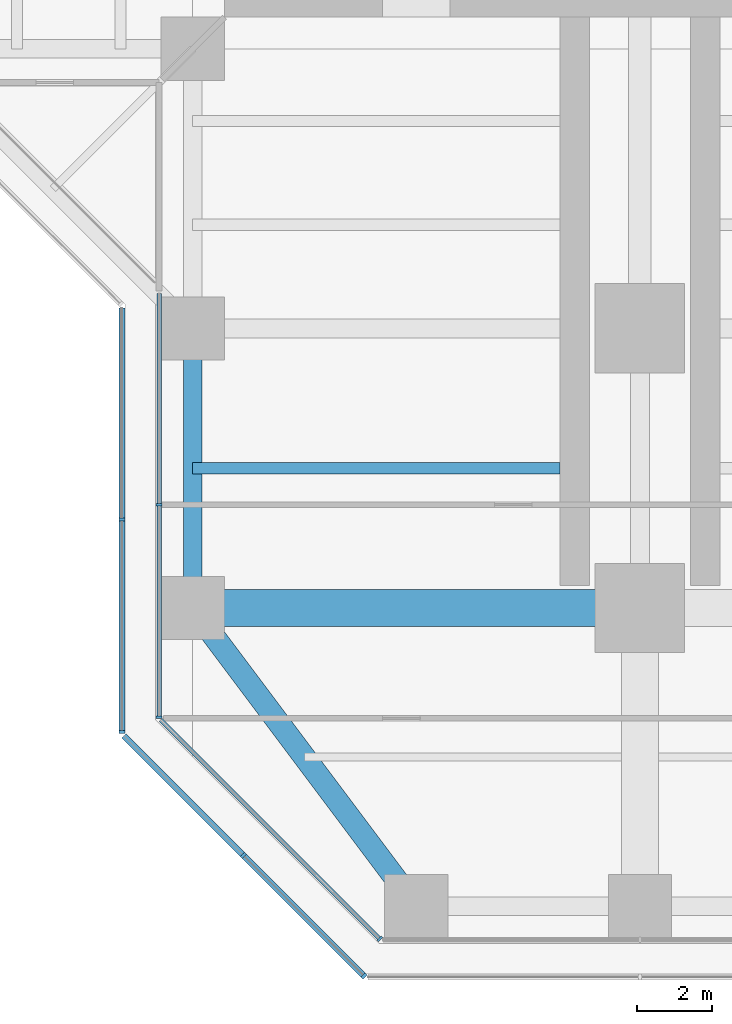
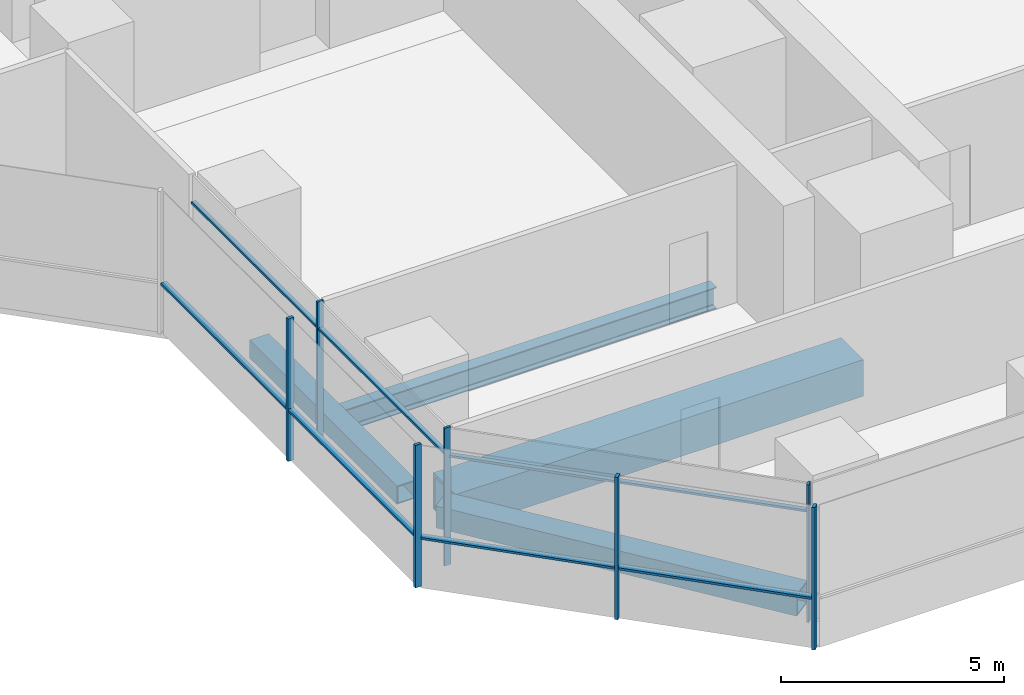
# One storey, part 2 of 22: 14 members, 4 beams, 4 elements without a shape of their own.
"""IFC4 building model written with IfcOpenShell, lengths in metres."""

from ifc_helpers import new_model, si_unit, direction, frame, origin, origin_2d, place, context, subcontext, project, spatial, rectangle, hollow_rectangle, i_section, extrude, material, material_profile, profile_set, type_object, element, aggregate, save


model = new_model("IFC4")

# Units and contexts
model_context = context("Model", 3, precision=1e-05, world=origin(), true_north=direction((0.0, 1.0)))
body_context = subcontext(model_context, "Body", "Model", "MODEL_VIEW")
ifc_project = project(units=[si_unit("LENGTHUNIT", "METRE"), si_unit("AREAUNIT", "SQUARE_METRE"), si_unit("VOLUMEUNIT", "CUBIC_METRE"), si_unit("PLANEANGLEUNIT", "RADIAN"), si_unit("MASSUNIT", "GRAM", prefix="KILO")], contexts=[model_context])

# Site, building, storey
site_placement = place(None, origin())
site = spatial("IfcSite", under=ifc_project, at=site_placement, CompositionType="ELEMENT")
building_placement = place(site_placement, origin())
building = spatial("IfcBuilding", under=site, at=building_placement, Name="Mizan Broadcast Tower", CompositionType="ELEMENT")
storey_placement = place(building_placement, frame((0.0, 0.0, 55.199951171875)))
storey = spatial("IfcBuildingStorey", under=building, at=storey_placement, Name="L10", CompositionType="ELEMENT", Elevation=55.199951171875)

# Beams
ifc_material_1 = material(Name="Steel S355", Category="steel")
ifc_material_profile_1 = material_profile(ifc_material_1, hollow_rectangle(XDim=0.5, YDim=0.5, WallThickness=0.030029296875, at=origin_2d()), Name="BOX 500x500x30")
ifc_profile_set_1 = profile_set([ifc_material_profile_1], Name="Steel S355")
beam_type_1 = type_object("IfcBeamType", Name="EDGE BEAM BOX 500x500x30", PredefinedType="SPANDREL", material=ifc_profile_set_1)
beam_1_placement = place(storey_placement, frame((-12.0, -19.949951171875, -0.3798828125), z_axis=(0.0, -1.0, 0.0), x_axis=(1.0, 0.0, 0.0)))
element("IfcBeam", 1, at=beam_1_placement, inside=storey, type_object=beam_type_1, Name="Edge beam BOX 500x500x30 L10 south arm", PredefinedType="SPANDREL", context=body_context, shape_type="SweptSolid", body=[
    extrude(hollow_rectangle(XDim=0.5, YDim=0.5, WallThickness=0.030029296875, at=origin_2d()), origin(), (0.0, 0.0, 1.0), 6.60009765625),
])
ifc_material_2 = material(Name="Steel S355", Category="steel")
ifc_material_profile_2 = material_profile(ifc_material_2, hollow_rectangle(XDim=0.60009765625, YDim=0.60009765625, WallThickness=0.030029296875, at=origin_2d()), Name="BOX 600x600x30")
ifc_profile_set_2 = profile_set([ifc_material_profile_2], Name="Steel S355")
beam_type_2 = type_object("IfcBeamType", Name="EDGE BEAM BOX 600x600x30", PredefinedType="SPANDREL", material=ifc_profile_set_2)
beam_2_placement = place(storey_placement, frame((-11.639892578125, -27.47998046875, -0.429931640625), z_axis=(0.599982243973, -0.800013316712, 0.0), x_axis=(0.800013316712, 0.599982243973, 0.0)))
element("IfcBeam", 2, at=beam_2_placement, inside=storey, type_object=beam_type_2, Name="Edge beam BOX 600x600x30 L10 south arm", PredefinedType="SPANDREL", context=body_context, shape_type="SweptSolid", body=[
    extrude(hollow_rectangle(XDim=0.60009765625, YDim=0.60009765625, WallThickness=0.030029296875, at=origin_2d()), origin(), (0.0, 0.0, 1.0), 8.7998046875),
])
ifc_material_3 = material(Name="Steel S460", Category="steel")
ifc_material_profile_3 = material_profile(ifc_material_3, hollow_rectangle(XDim=1.0, YDim=1.0, WallThickness=0.080078125, at=origin_2d()), Name="BOX 1000x1000x80")
ifc_profile_set_3 = profile_set([ifc_material_profile_3], Name="Steel S460")
beam_type_3 = type_object("IfcBeamType", Name="GIRDER BOX 1000x1000x80", PredefinedType="BEAM", material=ifc_profile_set_3)
beam_3_placement = place(storey_placement, frame((-11.280029296875, -27.0, -0.6298828125), z_axis=(1.0, 0.0, 0.0), x_axis=(0.0, 1.0, 0.0)))
element("IfcBeam", 3, at=beam_3_placement, inside=storey, type_object=beam_type_3, Name="Girder BOX 1000x1000x80 L10 south arm", PredefinedType="BEAM", context=body_context, shape_type="SweptSolid", body=[
    extrude(hollow_rectangle(XDim=1.0, YDim=1.0, WallThickness=0.080078125, at=origin_2d()), origin(), (0.0, 0.0, 1.0), 10.56005859375),
])

# Curtain wall, members
ifc_material_4 = material(Name="Aluminium framed glazing", Category="aluminium")
curtain_wall_type_1 = type_object("IfcCurtainWallType", Name="INNER SKIN LOW ZONE", PredefinedType="USERDEFINED", material=ifc_material_4)
curtain_wall_1_placement = place(storey_placement, origin())
curtain_wall_1 = element("IfcCurtainWall", 4, at=curtain_wall_1_placement, inside=storey, type_object=curtain_wall_type_1, Name="Inner skin low zone L10 S side", ObjectType="INNER SKIN LOW ZONE", PredefinedType="USERDEFINED")
ifc_material_5 = material(Name="Aluminium, pale anodised", Category="aluminium")
ifc_material_profile_4 = material_profile(ifc_material_5, rectangle(XDim=0.159912109375, YDim=0.06005859375, at=origin_2d()), Name="MULLION 160x60")
ifc_profile_set_4 = profile_set([ifc_material_profile_4], Name="Aluminium, pale anodised")
member_type_1 = type_object("IfcMemberType", Name="INNER SKIN MULLION 60x160", PredefinedType="MULLION", material=ifc_profile_set_4)
member_1_placement = place(storey_placement, frame((-12.89990234375, -24.229248046875, 0.0), z_axis=(0.0, 0.0, 1.0), x_axis=(1.0, 0.0, 0.0)))
member_1 = element("IfcMember", 5, at=member_1_placement, type_object=member_type_1, Name="Inner skin low zone L10 S side mullion 2", PredefinedType="MULLION", context=body_context, shape_type="SweptSolid", body=[
    extrude(rectangle(XDim=0.159912109375, YDim=0.06005859375, at=origin_2d()), origin(), (0.0, 0.0, 1.0), 3.77001953125),
])
member_2_placement = place(storey_placement, frame((-12.89990234375, -29.928466796875, 0.0), z_axis=(0.0, 0.0, 1.0), x_axis=(1.0, 0.0, 0.0)))
member_2 = element("IfcMember", 6, at=member_2_placement, type_object=member_type_1, Name="Inner skin low zone L10 S side mullion 3", PredefinedType="MULLION", context=body_context, shape_type="SweptSolid", body=[
    extrude(rectangle(XDim=0.159912109375, YDim=0.06005859375, at=origin_2d()), origin(), (0.0, 0.0, 1.0), 3.77001953125),
])

# Curtain wall, member
curtain_wall_2_placement = place(storey_placement, origin())
curtain_wall_2 = element("IfcCurtainWall", 7, at=curtain_wall_2_placement, inside=storey, type_object=curtain_wall_type_1, Name="Inner skin low zone L10 S chamfer", ObjectType="INNER SKIN LOW ZONE", PredefinedType="USERDEFINED")
member_3_placement = place(storey_placement, frame((-6.979736328125, -35.87890625, 0.0), z_axis=(0.0, 0.0, 1.0), x_axis=(0.707106781187, 0.707106781187, 0.0)))
member_3 = element("IfcMember", 8, at=member_3_placement, type_object=member_type_1, Name="Inner skin low zone L10 S chamfer mullion 2", PredefinedType="MULLION", context=body_context, shape_type="SweptSolid", body=[
    extrude(rectangle(XDim=0.159912109375, YDim=0.06005859375, at=origin_2d()), origin(), (0.0, 0.0, 1.0), 3.77001953125),
])

# Member
ifc_material_6 = material(Name="Aluminium, pale anodised", Category="aluminium")
ifc_material_profile_5 = material_profile(ifc_material_6, rectangle(XDim=0.1201171875, YDim=0.06005859375, at=origin_2d()), Name="TRANSOM 120x60")
ifc_profile_set_5 = profile_set([ifc_material_profile_5], Name="Aluminium, pale anodised")
member_type_2 = type_object("IfcMemberType", Name="INNER SKIN TRANSOM 60x120", PredefinedType="USERDEFINED", material=ifc_profile_set_5)
member_4_placement = place(storey_placement, frame((-12.89990234375, -18.56005859375, 3.030029296875), z_axis=(0.0, -1.0, 0.0), x_axis=(1.0, 0.0, 0.0)))
member_4 = element("IfcMember", 9, at=member_4_placement, type_object=member_type_2, Name="Inner skin low zone L10 S side transom 1.1", ObjectType="TRANSOM", PredefinedType="USERDEFINED", context=body_context, shape_type="SweptSolid", body=[
    extrude(rectangle(XDim=0.1201171875, YDim=0.06005859375, at=origin_2d()), origin(), (0.0, 0.0, 1.0), 5.63916015625),
])

member_5_placement = place(storey_placement, frame((-12.89990234375, -24.25927734375, 3.030029296875), z_axis=(0.0, -1.0, 0.0), x_axis=(1.0, 0.0, 0.0)))
member_5 = element("IfcMember", 10, at=member_5_placement, type_object=member_type_2, Name="Inner skin low zone L10 S side transom 2.1", ObjectType="TRANSOM", PredefinedType="USERDEFINED", context=body_context, shape_type="SweptSolid", body=[
    extrude(rectangle(XDim=0.1201171875, YDim=0.06005859375, at=origin_2d()), origin(), (0.0, 0.0, 1.0), 5.639404296875),
])

aggregate(curtain_wall_1, [member_1, member_2, member_4, member_5])

member_6_placement = place(storey_placement, frame((-12.857666015625, -30.0009765625, 3.030029296875), z_axis=(0.707106781187, -0.707106781187, 0.0), x_axis=(0.707106781187, 0.707106781187, 0.0)))
member_6 = element("IfcMember", 11, at=member_6_placement, type_object=member_type_2, Name="Inner skin low zone L10 S chamfer transom 1.1", ObjectType="TRANSOM", PredefinedType="USERDEFINED", context=body_context, shape_type="SweptSolid", body=[
    extrude(rectangle(XDim=0.1201171875, YDim=0.06005859375, at=origin_2d()), origin(), (0.0, 0.0, 1.0), 8.28271484375),
])

aggregate(curtain_wall_2, [member_3, member_6])

# Curtain wall, members
ifc_material_7 = material(Name="Aluminium framed glazing", Category="aluminium")
curtain_wall_type_2 = type_object("IfcCurtainWallType", Name="OUTER SKIN", PredefinedType="USERDEFINED", material=ifc_material_7)
curtain_wall_3_placement = place(storey_placement, origin())
curtain_wall_3 = element("IfcCurtainWall", 12, at=curtain_wall_3_placement, inside=storey, type_object=curtain_wall_type_2, Name="Outer skin L10 S side", ObjectType="OUTER SKIN", PredefinedType="USERDEFINED")
ifc_material_8 = material(Name="Aluminium, pale anodised", Category="aluminium")
ifc_material_profile_6 = material_profile(ifc_material_8, rectangle(XDim=0.159912109375, YDim=0.080078125, at=origin_2d()), Name="MULLION 160x80")
ifc_profile_set_6 = profile_set([ifc_material_profile_6], Name="Aluminium, pale anodised")
member_type_3 = type_object("IfcMemberType", Name="OUTER SKIN MULLION 80x160", PredefinedType="MULLION", material=ifc_profile_set_6)
member_7_placement = place(storey_placement, frame((-13.89990234375, -24.622802734375, 0.0), z_axis=(0.0, 0.0, 1.0), x_axis=(1.0, 0.0, 0.0)))
member_7 = element("IfcMember", 13, at=member_7_placement, type_object=member_type_3, Name="Outer skin L10 S side mullion 2", PredefinedType="MULLION", context=body_context, shape_type="SweptSolid", body=[
    extrude(rectangle(XDim=0.159912109375, YDim=0.080078125, at=origin_2d()), origin(), (0.0, 0.0, 1.0), 3.900146484375),
])
member_8_placement = place(storey_placement, frame((-13.89990234375, -30.332763671875, 0.0), z_axis=(0.0, 0.0, 1.0), x_axis=(1.0, 0.0, 0.0)))
member_8 = element("IfcMember", 14, at=member_8_placement, type_object=member_type_3, Name="Outer skin L10 S side mullion 3", PredefinedType="MULLION", context=body_context, shape_type="SweptSolid", body=[
    extrude(rectangle(XDim=0.159912109375, YDim=0.080078125, at=origin_2d()), origin(), (0.0, 0.0, 1.0), 3.900146484375),
])

curtain_wall_4_placement = place(storey_placement, origin())
curtain_wall_4 = element("IfcCurtainWall", 15, at=curtain_wall_4_placement, inside=storey, type_object=curtain_wall_type_2, Name="Outer skin L10 S chamfer", ObjectType="OUTER SKIN", PredefinedType="USERDEFINED")
member_9_placement = place(storey_placement, frame((-10.636474609375, -33.636474609375, 0.0), z_axis=(0.0, 0.0, 1.0), x_axis=(0.707106781187, 0.707106781187, 0.0)))
member_9 = element("IfcMember", 16, at=member_9_placement, type_object=member_type_3, Name="Outer skin L10 S chamfer mullion 2", PredefinedType="MULLION", context=body_context, shape_type="SweptSolid", body=[
    extrude(rectangle(XDim=0.159912109375, YDim=0.080078125, at=origin_2d()), origin(), (0.0, 0.0, 1.0), 3.900146484375),
])
member_10_placement = place(storey_placement, frame((-7.401123046875, -36.871826171875, 0.0), z_axis=(0.0, 0.0, 1.0), x_axis=(0.707106781187, 0.707106781187, 0.0)))
member_10 = element("IfcMember", 17, at=member_10_placement, type_object=member_type_3, Name="Outer skin L10 S chamfer mullion 3", PredefinedType="MULLION", context=body_context, shape_type="SweptSolid", body=[
    extrude(rectangle(XDim=0.159912109375, YDim=0.080078125, at=origin_2d()), origin(), (0.0, 0.0, 1.0), 3.900146484375),
])

# Member
ifc_material_9 = material(Name="Aluminium, pale anodised", Category="aluminium")
ifc_material_profile_7 = material_profile(ifc_material_9, rectangle(XDim=0.159912109375, YDim=0.06005859375, at=origin_2d()), Name="TRANSOM 160x60")
ifc_profile_set_7 = profile_set([ifc_material_profile_7], Name="Aluminium, pale anodised")
member_type_4 = type_object("IfcMemberType", Name="OUTER SKIN TRANSOM 60x160", PredefinedType="USERDEFINED", material=ifc_profile_set_7)
member_11_placement = place(storey_placement, frame((-13.89990234375, -18.952880859375, 1.400146484375), z_axis=(0.0, -1.0, 0.0), x_axis=(1.0, 0.0, 0.0)))
member_11 = element("IfcMember", 18, at=member_11_placement, type_object=member_type_4, Name="Outer skin L10 S side transom 1.1", ObjectType="TRANSOM", PredefinedType="USERDEFINED", context=body_context, shape_type="SweptSolid", body=[
    extrude(rectangle(XDim=0.159912109375, YDim=0.06005859375, at=origin_2d()), origin(), (0.0, 0.0, 1.0), 5.6298828125),
])

member_12_placement = place(storey_placement, frame((-13.89990234375, -24.662841796875, 1.400146484375), z_axis=(0.0, -1.0, 0.0), x_axis=(1.0, 0.0, 0.0)))
member_12 = element("IfcMember", 19, at=member_12_placement, type_object=member_type_4, Name="Outer skin L10 S side transom 2.1", ObjectType="TRANSOM", PredefinedType="USERDEFINED", context=body_context, shape_type="SweptSolid", body=[
    extrude(rectangle(XDim=0.159912109375, YDim=0.06005859375, at=origin_2d()), origin(), (0.0, 0.0, 1.0), 5.6298828125),
])

aggregate(curtain_wall_3, [member_7, member_8, member_11, member_12])

member_13_placement = place(storey_placement, frame((-13.843505859375, -30.429443359375, 1.400146484375), z_axis=(0.707106781187, -0.707106781187, 0.0), x_axis=(0.707106781187, 0.707106781187, 0.0)))
member_13 = element("IfcMember", 20, at=member_13_placement, type_object=member_type_4, Name="Outer skin L10 S chamfer transom 1.1", ObjectType="TRANSOM", PredefinedType="USERDEFINED", context=body_context, shape_type="SweptSolid", body=[
    extrude(rectangle(XDim=0.159912109375, YDim=0.06005859375, at=origin_2d()), origin(), (0.0, 0.0, 1.0), 4.495361328125),
])

member_14_placement = place(storey_placement, frame((-10.608154296875, -33.664794921875, 1.400146484375), z_axis=(0.707106781187, -0.707106781187, 0.0), x_axis=(0.707106781187, 0.707106781187, 0.0)))
member_14 = element("IfcMember", 21, at=member_14_placement, type_object=member_type_4, Name="Outer skin L10 S chamfer transom 2.1", ObjectType="TRANSOM", PredefinedType="USERDEFINED", context=body_context, shape_type="SweptSolid", body=[
    extrude(rectangle(XDim=0.159912109375, YDim=0.06005859375, at=origin_2d()), origin(), (0.0, 0.0, 1.0), 4.495361328125),
])

aggregate(curtain_wall_4, [member_9, member_10, member_13, member_14])

# Beam
ifc_material_10 = material(Name="Steel S355", Category="steel")
ifc_material_profile_8 = material_profile(ifc_material_10, i_section(OverallWidth=0.300048828125, OverallDepth=0.590087890625, WebThickness=0.012939453125, FlangeThickness=0.02490234375, FilletRadius=0.027099609375, at=origin_2d()), Name="HEA 600")
ifc_profile_set_8 = profile_set([ifc_material_profile_8], Name="Steel S355")
beam_type_4 = type_object("IfcBeamType", Name="SECONDARY BEAM HEA 600", PredefinedType="JOIST", material=ifc_profile_set_8)
beam_4_placement = place(storey_placement, frame((-12.0, -23.25, -0.425048828125), z_axis=(1.0, 0.0, 0.0), x_axis=(0.0, 1.0, 0.0)))
element("IfcBeam", 22, at=beam_4_placement, inside=storey, type_object=beam_type_4, Name="Secondary beam HEA 600 L10 south arm", PredefinedType="JOIST", context=body_context, shape_type="SweptSolid", body=[
    extrude(i_section(OverallWidth=0.300048828125, OverallDepth=0.590087890625, WebThickness=0.012939453125, FlangeThickness=0.02490234375, FilletRadius=0.027099609375, at=origin_2d()), origin(), (0.0, 0.0, 1.0), 9.85009765625),
])

save(model, "model.ifc")
